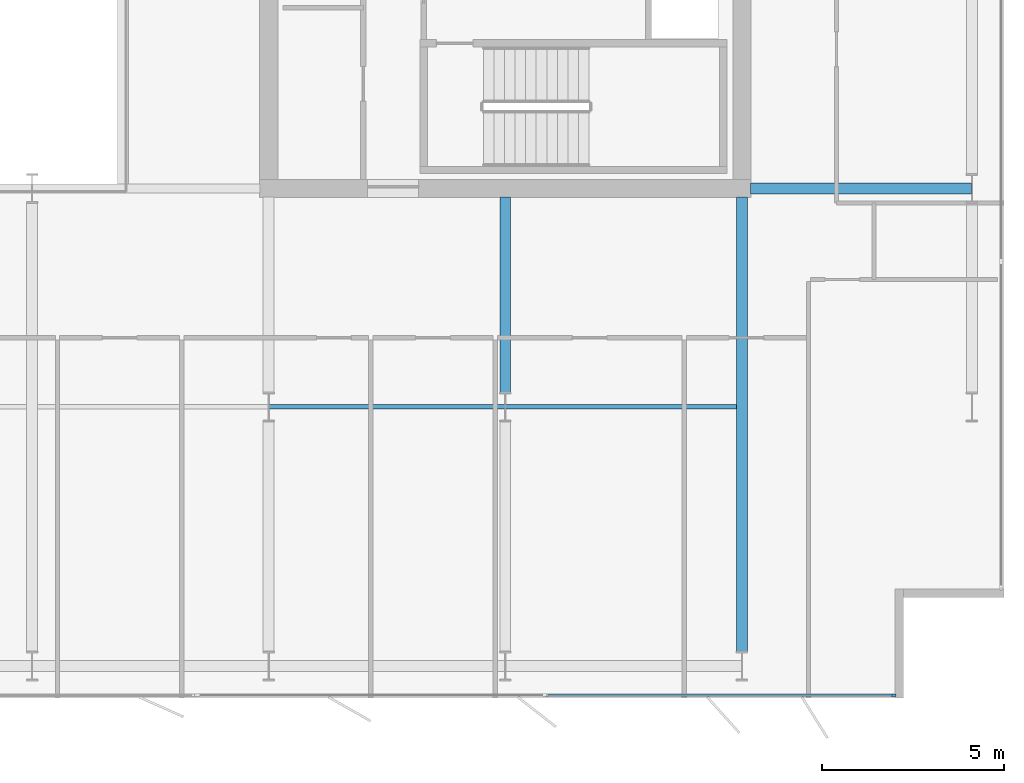
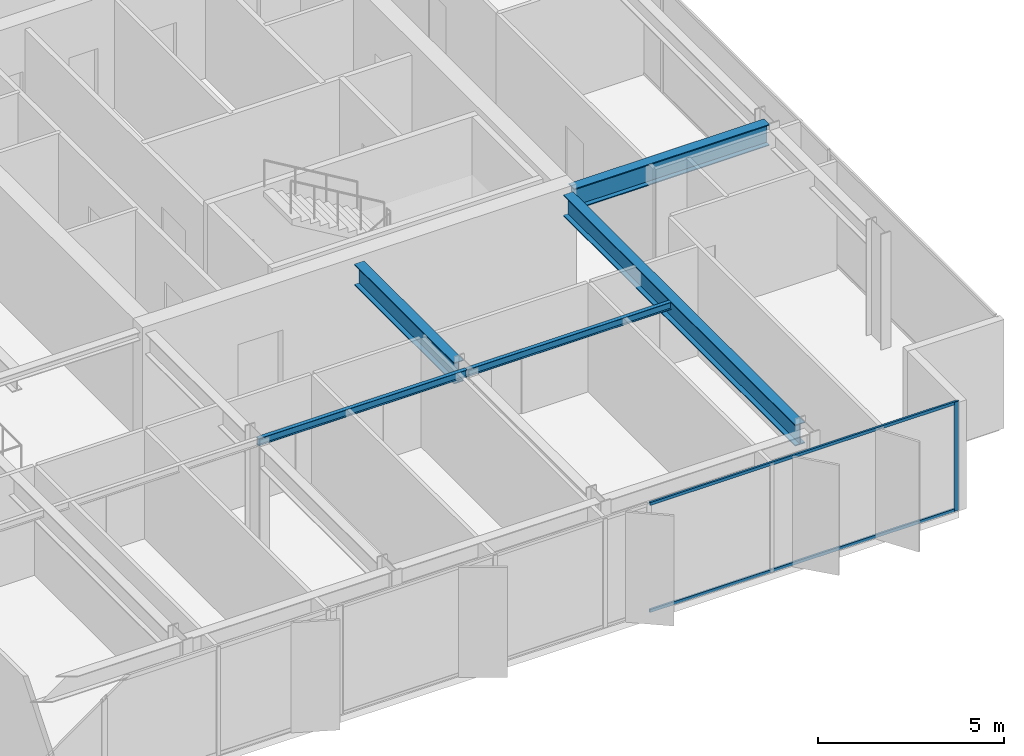
# One storey, part 8 of 24: 5 beams, 3 members, 1 element without a shape of its own.
"""IFC4 building model written with IfcOpenShell, lengths in metres."""

import ifcopenshell
import ifcopenshell.guid

model = None  # the IFC model being written
_history = None  # IfcOwnerHistory: only IFC2X3 demands one
_inside = {}  # id of a spatial element -> (the spatial element, [elements in it])
_under = {}  # id of a project, library or spatial element -> (it, [spatial elements below it])
_declared = {}  # id of a project -> (the project, [libraries it declares])
_typed = {}  # id of a type object -> (the type object, [elements of that type])
_made_of = {}  # id of a material, layer set ... -> (it, [elements and type objects made of it])


def new_model(schema):
    """Start an empty IFC model of exactly this schema.

    Asked for "IFC4X3", IfcOpenShell would pick the latest addendum, in which some entities
    have other attributes; the version numbers below select the first issue.
    IFC2X3 requires an IfcOwnerHistory on every rooted entity: one is made here for all.
    """
    global model, _history
    if schema == "IFC4X3":
        model = ifcopenshell.file(schema_version=(4, 3, 0, 0))
    else:
        model = ifcopenshell.file(schema=schema)
    _inside.clear()
    _under.clear()
    _declared.clear()
    _typed.clear()
    _made_of.clear()
    _history = None
    if model.schema == "IFC2X3":
        org = make("IfcOrganization", Name="unknown")
        user = make(
            "IfcPersonAndOrganization",
            ThePerson=make("IfcPerson", FamilyName="unknown"),
            TheOrganization=org,
        )
        app = make(
            "IfcApplication",
            ApplicationDeveloper=org,
            Version="unknown",
            ApplicationFullName="unknown",
            ApplicationIdentifier="unknown",
        )
        _history = make(
            "IfcOwnerHistory",
            OwningUser=user,
            OwningApplication=app,
            ChangeAction="ADDED",
            CreationDate=0,
        )
    return model


def make(cls, **values):
    """One entity of the class cls with the attributes given. An attribute that is None is left unset."""
    return model.create_entity(
        cls, **{name: value for name, value in values.items() if value is not None}
    )


def rooted(cls, **values):
    """An entity with a GlobalId (a new one), such as an element, a storey or a relation."""
    return make(cls, GlobalId=ifcopenshell.guid.new(), OwnerHistory=_history, **values)


def si_unit(unit_type, name, prefix=None):
    """IfcSIUnit, for example si_unit("LENGTHUNIT", "METRE", prefix="MILLI")."""
    return make("IfcSIUnit", UnitType=unit_type, Prefix=prefix, Name=name)


def assignment(units):
    """IfcUnitAssignment: the units of a project."""
    return None if units is None else make("IfcUnitAssignment", Units=units)


def point(xyz):
    """IfcCartesianPoint."""
    return None if xyz is None else make("IfcCartesianPoint", Coordinates=xyz)


def direction(xyz):
    """IfcDirection."""
    return None if xyz is None else make("IfcDirection", DirectionRatios=xyz)


def frame(location, z_axis=None, x_axis=None):
    """IfcAxis2Placement3D, a coordinate frame: its origin and axes. An axis left out is left unset."""
    return make(
        "IfcAxis2Placement3D",
        Location=point(location),
        Axis=direction(z_axis),
        RefDirection=direction(x_axis),
    )


def frame_2d(location, x_axis=None):
    """IfcAxis2Placement2D, a coordinate frame in the plane: its origin and x axis."""
    return make(
        "IfcAxis2Placement2D", Location=point(location), RefDirection=direction(x_axis)
    )


def origin():
    """The frame at (0, 0, 0) with its axes left unset."""
    return frame((0.0, 0.0, 0.0))


def origin_2d():
    """The frame at (0, 0) in the plane with its x axis left unset."""
    return frame_2d((0.0, 0.0))


def place(relative_to, where):
    """IfcLocalPlacement: puts the frame where relative to a parent placement (None: the world)."""
    return make(
        "IfcLocalPlacement", PlacementRelTo=relative_to, RelativePlacement=where
    )


def context(
    kind, dimensions, precision=None, world=None, true_north=None, identifier=None
):
    """IfcGeometricRepresentationContext, for example the 3D "Model" context."""
    return make(
        "IfcGeometricRepresentationContext",
        ContextIdentifier=identifier,
        ContextType=kind,
        CoordinateSpaceDimension=dimensions,
        Precision=precision,
        WorldCoordinateSystem=world,
        TrueNorth=true_north,
    )


def subcontext(parent, identifier, kind, view, scale=None):
    """IfcGeometricRepresentationSubContext, for example "Body" below "Model"."""
    return make(
        "IfcGeometricRepresentationSubContext",
        ContextIdentifier=identifier,
        ContextType=kind,
        ParentContext=parent,
        TargetScale=scale,
        TargetView=view,
    )


def project(units=None, contexts=None):
    """IfcProject with its units and contexts."""
    return rooted(
        "IfcProject",
        Name="project",
        RepresentationContexts=contexts,
        UnitsInContext=assignment(units),
    )


def spatial(cls, under=None, at=None, **own):
    """A site, building, storey or space (cls), placed at a placement, below another one or the project."""
    s = rooted(cls, ObjectPlacement=at, **own)
    if under is not None:
        _under.setdefault(under.id(), (under, []))[1].append(s)
    return s


def profile(cls, at=None, kind="AREA", **sizes):
    """A parametric profile (cls). Its sizes go by their IFC names, for example OverallWidth=200.0."""
    return make(cls, ProfileType=kind, Position=at, **sizes)


def rectangle(**sizes):
    """IfcRectangleProfileDef."""
    return profile("IfcRectangleProfileDef", **sizes)


def i_section(**sizes):
    """IfcIShapeProfileDef."""
    return profile("IfcIShapeProfileDef", **sizes)


def extrude(swept, where, along, depth):
    """IfcExtrudedAreaSolid: the profile swept, set in the frame where, extruded along a direction by depth."""
    return make(
        "IfcExtrudedAreaSolid",
        SweptArea=swept,
        Position=where,
        ExtrudedDirection=direction(along),
        Depth=depth,
    )


def shape(context_of_items, identifier, shape_type, items):
    """IfcShapeRepresentation: the items that make up one representation, for example the "Body"."""
    return make(
        "IfcShapeRepresentation",
        ContextOfItems=context_of_items,
        RepresentationIdentifier=identifier,
        RepresentationType=shape_type,
        Items=items,
    )


def material(Name=None, Category=None):
    """IfcMaterial."""
    return make("IfcMaterial", Name=Name, Category=Category)


def layer(
    of_material, thickness, ventilated=None, Name=None, Category=None, Priority=None
):
    """IfcMaterialLayer: one layer of a wall or slab, of a material (None: an air gap)."""
    return make(
        "IfcMaterialLayer",
        Material=of_material,
        LayerThickness=thickness,
        IsVentilated=ventilated,
        Name=Name,
        Category=Category,
        Priority=Priority,
    )


def layer_set(layers, Name=None):
    """IfcMaterialLayerSet."""
    return make("IfcMaterialLayerSet", MaterialLayers=layers, LayerSetName=Name)


def material_profile(
    of_material, cross_section, Name=None, Category=None, Priority=None
):
    """IfcMaterialProfile: a cross section and its material."""
    return make(
        "IfcMaterialProfile",
        Name=Name,
        Material=of_material,
        Profile=cross_section,
        Priority=Priority,
        Category=Category,
    )


def profile_set(profiles, Name=None, composite=None):
    """IfcMaterialProfileSet."""
    return make(
        "IfcMaterialProfileSet",
        Name=Name,
        MaterialProfiles=profiles,
        CompositeProfile=composite,
    )


def made_of(thing, what):
    """Note that an element or type object is made of a material, layer set ...; save() writes the relation."""
    if what is not None:
        _made_of.setdefault(what.id(), (what, []))[1].append(thing)
    return thing


def type_object(cls, material=None, **own):
    """A type object (cls), such as IfcWallType, which elements share."""
    return made_of(rooted(cls, **own), material)


def element(
    cls,
    number,
    at=None,
    inside=None,
    cuts=None,
    type_object=None,
    material=None,
    context=None,
    identifier="Body",
    shape_type=None,
    held_by="IfcProductDefinitionShape",
    body=None,
    shapes=None,
    **own,
):
    """One element of the class cls, such as IfcWall. Its Tag is "e" and its number.

    at: its placement. inside: the storey or other place that contains it. cuts: it is an
    opening in that element (IfcRelVoidsElement). A single representation is given by context,
    identifier, shape_type and body (its items); several are given by shapes. held_by: the class
    of the entity that holds the representations. save() writes the other relations.
    """
    e = rooted(cls, Tag="e%d" % number, ObjectPlacement=at, **own)
    if body is not None:
        shapes = [shape(context, identifier, shape_type, body)]
    if shapes is not None:
        e.Representation = make(held_by, Representations=shapes)
    if inside is not None:
        _inside.setdefault(inside.id(), (inside, []))[1].append(e)
    if cuts is not None:
        rooted(
            "IfcRelVoidsElement", RelatingBuildingElement=cuts, RelatedOpeningElement=e
        )
    if type_object is not None:
        _typed.setdefault(type_object.id(), (type_object, []))[1].append(e)
    return made_of(e, material)


def aggregate(whole, parts):
    """IfcRelAggregates: a whole, such as a stair, and the parts it consists of."""
    return rooted("IfcRelAggregates", RelatingObject=whole, RelatedObjects=parts)


def save(model, path):
    """Write the relations noted so far, then the file.

    IfcRelAggregates (storeys below a building ...), IfcRelContainedInSpatialStructure (elements
    in a storey), IfcRelDefinesByType, IfcRelAssociatesMaterial and IfcRelDeclares: one each for
    every whole, place, type object, material and project.
    """
    for whole, parts in _under.values():
        aggregate(whole, parts)
    for where, things in _inside.values():
        rooted(
            "IfcRelContainedInSpatialStructure",
            RelatedElements=things,
            RelatingStructure=where,
        )
    for kind, things in _typed.values():
        rooted("IfcRelDefinesByType", RelatedObjects=things, RelatingType=kind)
    for what, things in _made_of.values():
        rooted("IfcRelAssociatesMaterial", RelatedObjects=things, RelatingMaterial=what)
    for by, libraries in _declared.values():
        rooted("IfcRelDeclares", RelatingContext=by, RelatedDefinitions=libraries)
    model.write(path)


model = new_model("IFC4")

# Units and contexts
model_context = context("Model", 3, precision=1e-05, world=origin(), true_north=direction((0.0, 1.0)))
body_context = subcontext(model_context, "Body", "Model", "MODEL_VIEW")
ifc_project = project(units=[si_unit("LENGTHUNIT", "METRE"), si_unit("AREAUNIT", "SQUARE_METRE"), si_unit("VOLUMEUNIT", "CUBIC_METRE"), si_unit("PLANEANGLEUNIT", "RADIAN"), si_unit("MASSUNIT", "GRAM", prefix="KILO")], contexts=[model_context])

# Site, building, storey
site_placement = place(None, origin())
site = spatial("IfcSite", under=ifc_project, at=site_placement, CompositionType="ELEMENT")
building_placement = place(site_placement, origin())
building = spatial("IfcBuilding", under=site, at=building_placement, Name="Putna Gate Headquarters", CompositionType="ELEMENT")
storey_placement = place(building_placement, frame((0.0, 0.0, 236.60009765625)))
storey = spatial("IfcBuildingStorey", under=building, at=storey_placement, Name="L59", CompositionType="ELEMENT", Elevation=236.60009765625)

# Beams
ifc_material_1 = material(Name="Steel S355J2", Category="steel")
ifc_material_profile_1 = material_profile(ifc_material_1, i_section(OverallWidth=0.300048828125, OverallDepth=0.699951171875, WebThickness=0.01708984375, FlangeThickness=0.031982421875, at=origin_2d()), Name="Steel S355J2")
ifc_profile_set_1 = profile_set([ifc_material_profile_1], Name="Steel S355J2")
beam_type_1 = type_object("IfcBeamType", Name="BM-GIRD-B-HEB700", PredefinedType="USERDEFINED", material=ifc_profile_set_1)
beam_1_placement = place(storey_placement, frame((65.235107421875, 19.0, 3.22998046875), z_axis=(1.0, 0.0, 0.0), x_axis=(0.0, 1.0, 0.0)))
element("IfcBeam", 1, at=beam_1_placement, inside=storey, type_object=beam_type_1, Name="L59 East Wing Girder Y19", ObjectType="GIRDER", PredefinedType="USERDEFINED", context=body_context, shape_type="SweptSolid", body=[
    extrude(i_section(OverallWidth=0.300048828125, OverallDepth=0.699951171875, WebThickness=0.01708984375, FlangeThickness=0.031982421875, at=origin_2d()), origin(), (0.0, 0.0, 1.0), 6.078857421875),
])
beam_2_placement = place(storey_placement, frame((58.5, 13.39501953125, 3.22998046875), z_axis=(0.0, 1.0, 0.0), x_axis=(-1.0, 0.0, 0.0)))
element("IfcBeam", 2, at=beam_2_placement, inside=storey, type_object=beam_type_1, Name="L59 South Primary Girder X58-2", ObjectType="GIRDER", PredefinedType="USERDEFINED", context=body_context, shape_type="SweptSolid", body=[
    extrude(i_section(OverallWidth=0.300048828125, OverallDepth=0.699951171875, WebThickness=0.01708984375, FlangeThickness=0.031982421875, at=origin_2d()), origin(), (0.0, 0.0, 1.0), 5.369873046875),
])
beam_3_placement = place(storey_placement, frame((65.0, 6.27490234375, 3.22998046875), z_axis=(0.0, 1.0, 0.0), x_axis=(-1.0, 0.0, 0.0)))
element("IfcBeam", 3, at=beam_3_placement, inside=storey, type_object=beam_type_1, Name="L59 South Primary Girder X65", ObjectType="GIRDER", PredefinedType="USERDEFINED", context=body_context, shape_type="SweptSolid", body=[
    extrude(i_section(OverallWidth=0.300048828125, OverallDepth=0.699951171875, WebThickness=0.01708984375, FlangeThickness=0.031982421875, at=origin_2d()), origin(), (0.0, 0.0, 1.0), 12.489990234375),
])
ifc_material_profile_2 = material_profile(ifc_material_1, i_section(OverallWidth=0.1201171875, OverallDepth=0.239990234375, WebThickness=0.006103515625, FlangeThickness=0.009765625, at=origin_2d()), Name="Steel S355J2")
ifc_profile_set_2 = profile_set([ifc_material_profile_2], Name="Steel S355J2")
beam_type_2 = type_object("IfcBeamType", Name="BM-SEC-Z4-IPE240", PredefinedType="JOIST", material=ifc_profile_set_2)
beam_4_placement = place(storey_placement, frame((52.006103515625, 13.0, 3.4599609375), z_axis=(1.0, 0.0, 0.0), x_axis=(0.0, 1.0, 0.0)))
element("IfcBeam", 4, at=beam_4_placement, inside=storey, type_object=beam_type_2, Name="L59 South Secondary Beam 7", PredefinedType="JOIST", context=body_context, shape_type="SweptSolid", body=[
    extrude(i_section(OverallWidth=0.1201171875, OverallDepth=0.239990234375, WebThickness=0.006103515625, FlangeThickness=0.009765625, at=origin_2d()), origin(), (0.0, 0.0, 1.0), 6.48779296875),
])
beam_5_placement = place(storey_placement, frame((58.506103515625, 13.0, 3.4599609375), z_axis=(1.0, 0.0, 0.0), x_axis=(0.0, 1.0, 0.0)))
element("IfcBeam", 5, at=beam_5_placement, inside=storey, type_object=beam_type_2, Name="L59 South Secondary Beam 8", PredefinedType="JOIST", context=body_context, shape_type="SweptSolid", body=[
    extrude(i_section(OverallWidth=0.1201171875, OverallDepth=0.239990234375, WebThickness=0.006103515625, FlangeThickness=0.009765625, at=origin_2d()), origin(), (0.0, 0.0, 1.0), 6.33984375),
])

# Curtain wall, members
ifc_material_2 = material(Name="Anodised bronze aluminium curtain wall", Category="aluminium")
ifc_layer = layer(ifc_material_2, 0.139892578125)
ifc_layer_set = layer_set([ifc_layer], Name="Anodised bronze aluminium curtain wall")
curtain_wall_type = type_object("IfcCurtainWallType", Name="CW-SYS-Z4", PredefinedType="USERDEFINED", material=ifc_layer_set)
curtain_wall_placement = place(storey_placement, origin())
curtain_wall = element("IfcCurtainWall", 6, at=curtain_wall_placement, inside=storey, type_object=curtain_wall_type, Name="L59 South East Curtain Wall", ObjectType="STICK CURTAIN WALL", PredefinedType="USERDEFINED")
ifc_material_3 = material(Name="Anodised bronze aluminium EN AW-6060", Category="aluminium")
ifc_material_profile_3 = material_profile(ifc_material_3, rectangle(XDim=0.06005859375, YDim=0.139892578125, at=origin_2d()), Name="Anodised bronze aluminium EN AW-6060")
ifc_profile_set_3 = profile_set([ifc_material_profile_3], Name="Anodised bronze aluminium EN AW-6060")
member_type_1 = type_object("IfcMemberType", Name="MULL-CWM-4", PredefinedType="MULLION", material=ifc_profile_set_3)
member_1_placement = place(storey_placement, frame((69.169921875, 5.080078125, 0.0), z_axis=(0.0, 0.0, 1.0), x_axis=(0.0, 1.0, 0.0)))
member_1 = element("IfcMember", 7, at=member_1_placement, type_object=member_type_1, Name="CWS-4 mullion 3", PredefinedType="MULLION", context=body_context, shape_type="SweptSolid", body=[
    extrude(rectangle(XDim=0.06005859375, YDim=0.139892578125, at=origin_2d()), origin(), (0.0, 0.0, 1.0), 3.579833984375),
])
ifc_material_profile_4 = material_profile(ifc_material_3, rectangle(XDim=0.06005859375, YDim=0.10009765625, at=origin_2d()), Name="Anodised bronze aluminium EN AW-6060")
ifc_profile_set_4 = profile_set([ifc_material_profile_4], Name="Anodised bronze aluminium EN AW-6060")
member_type_2 = type_object("IfcMemberType", Name="TRAN-CWT-4", PredefinedType="USERDEFINED", material=ifc_profile_set_4)
member_2_placement = place(storey_placement, frame((59.6298828125, 5.080078125, 0.02978515625), z_axis=(1.0, 0.0, 0.0), x_axis=(0.0, 1.0, 0.0)))
member_2 = element("IfcMember", 8, at=member_2_placement, type_object=member_type_2, Name="CWS-4 transom 2.1", ObjectType="TRANSOM", PredefinedType="USERDEFINED", context=body_context, shape_type="SweptSolid", body=[
    extrude(rectangle(XDim=0.06005859375, YDim=0.10009765625, at=origin_2d()), origin(), (0.0, 0.0, 1.0), 9.510009765625),
])
member_3_placement = place(storey_placement, frame((59.6298828125, 5.080078125, 3.5498046875), z_axis=(1.0, 0.0, 0.0), x_axis=(0.0, 1.0, 0.0)))
member_3 = element("IfcMember", 9, at=member_3_placement, type_object=member_type_2, Name="CWS-4 transom 2.2", ObjectType="TRANSOM", PredefinedType="USERDEFINED", context=body_context, shape_type="SweptSolid", body=[
    extrude(rectangle(XDim=0.06005859375, YDim=0.10009765625, at=origin_2d()), origin(), (0.0, 0.0, 1.0), 9.510009765625),
])
aggregate(curtain_wall, [member_1, member_2, member_3])

save(model, "model.ifc")
